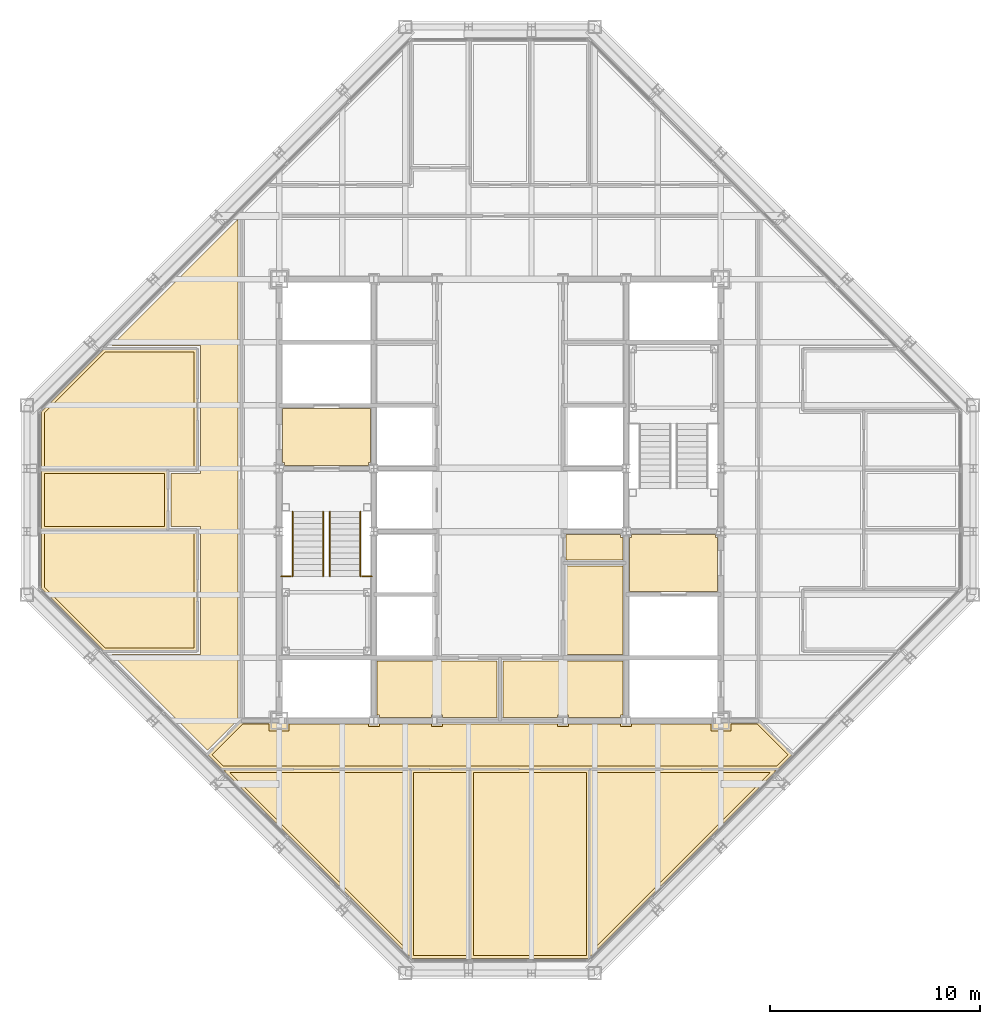
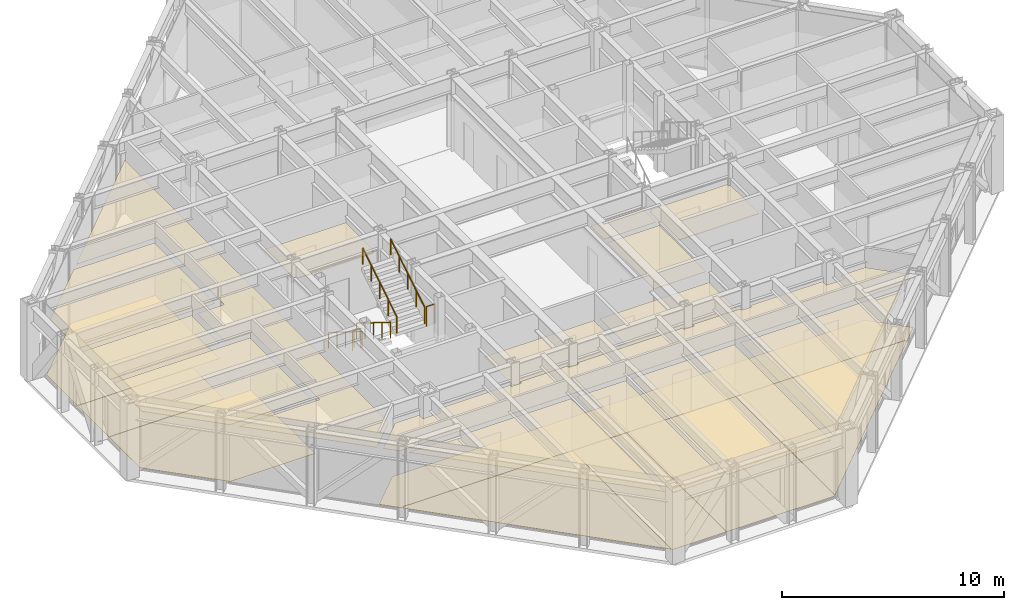
# One storey, part 14 of 15: 23 coverings, 6 railings.
"""IFC4 building model written with IfcOpenShell, lengths in metres."""

from ifc_helpers import new_model, si_unit, direction, frame, origin, origin_2d, place, context, subcontext, project, spatial, polyline, circle, outline, extrude, material, layer, layer_set, type_object, element, save


model = new_model("IFC4")

# Units and contexts
model_context = context("Model", 3, precision=1e-05, world=origin(), true_north=direction((0.0, 1.0)))
body_context = subcontext(model_context, "Body", "Model", "MODEL_VIEW")
ifc_project = project(units=[si_unit("LENGTHUNIT", "METRE"), si_unit("AREAUNIT", "SQUARE_METRE"), si_unit("VOLUMEUNIT", "CUBIC_METRE"), si_unit("PLANEANGLEUNIT", "RADIAN"), si_unit("MASSUNIT", "GRAM", prefix="KILO")], contexts=[model_context])

# Site, building, storey
site_placement = place(None, origin())
site = spatial("IfcSite", under=ifc_project, at=site_placement, CompositionType="ELEMENT")
building_placement = place(site_placement, origin())
building = spatial("IfcBuilding", under=site, at=building_placement, Name="Chuquiago Exchange Tower", CompositionType="ELEMENT")
storey_placement = place(building_placement, frame((0.0, 0.0, 291.60009765625)))
storey = spatial("IfcBuildingStorey", under=building, at=storey_placement, Name="L65", CompositionType="ELEMENT", Elevation=291.60009765625)

# Coverings
ifc_material_1 = material(Name="Mineral fibre tile, 600 x 600, on pale metal grid", Category="mineral fibre")
ifc_layer_1 = layer(ifc_material_1, 0.02001953125)
ifc_layer_set_1 = layer_set([ifc_layer_1], Name="CL1 suspended tile ceiling 20")
covering_type_1 = type_object("IfcCoveringType", Name="CL1 suspended tile ceiling 20", PredefinedType="CEILING", material=ifc_layer_set_1)
covering_1_placement = place(storey_placement, frame((0.0, 0.0, 3.0)))
element("IfcCovering", 1, at=covering_1_placement, inside=storey, type_object=covering_type_1, Name="Ceiling Broker lounge", PredefinedType="CEILING", context=body_context, shape_type="SweptSolid", body=[
    extrude(outline(polyline([(18.098388671875, 9.550048828125), (18.098388671875, 1.103515625), (9.652099609375, 9.550048828125), (18.098388671875, 9.550048828125)])), origin(), (0.0, 0.0, 1.0), 0.02001953125),
])
covering_2_placement = place(storey_placement, frame((0.0, 0.0, 3.0)))
element("IfcCovering", 2, at=covering_2_placement, inside=storey, type_object=covering_type_1, Name="Ceiling Executive office", PredefinedType="CEILING", context=body_context, shape_type="SweptSolid", body=[
    extrude(outline(polyline([(18.3984375, 9.550048828125), (20.932861328125, 9.550048828125), (20.932861328125, 0.85009765625), (18.3984375, 0.85009765625), (18.3984375, 9.550048828125)])), origin(), (0.0, 0.0, 1.0), 0.02001953125),
])
covering_3_placement = place(storey_placement, frame((0.0, 0.0, 3.0)))
element("IfcCovering", 3, at=covering_3_placement, inside=storey, type_object=covering_type_1, Name="Ceiling Executive office", PredefinedType="CEILING", context=body_context, shape_type="SweptSolid", body=[
    extrude(outline(polyline([(21.23291015625, 0.85009765625), (21.23291015625, 9.550048828125), (26.6015625, 9.550048828125), (26.6015625, 0.85009765625), (21.23291015625, 0.85009765625)])), origin(), (0.0, 0.0, 1.0), 0.02001953125),
])
covering_4_placement = place(storey_placement, frame((0.0, 0.0, 3.0)))
element("IfcCovering", 4, at=covering_4_placement, inside=storey, type_object=covering_type_1, Name="Ceiling Dining room", PredefinedType="CEILING", context=body_context, shape_type="SweptSolid", body=[
    extrude(outline(polyline([(26.901611328125, 9.550048828125), (35.347900390625, 9.550048828125), (26.901611328125, 1.103515625), (26.901611328125, 9.550048828125)])), origin(), (0.0, 0.0, 1.0), 0.02001953125),
])
covering_5_placement = place(storey_placement, frame((0.0, 0.0, 3.0)))
element("IfcCovering", 5, at=covering_5_placement, inside=storey, type_object=covering_type_1, Name="Ceiling Office", PredefinedType="CEILING", context=body_context, shape_type="SweptSolid", body=[
    extrude(outline(polyline([(7.949951171875, 20.932861328125), (7.949951171875, 15.45703125), (3.744873046875, 15.45703125), (0.85009765625, 18.35205078125), (0.85009765625, 20.932861328125), (7.949951171875, 20.932861328125)])), origin(), (0.0, 0.0, 1.0), 0.02001953125),
])
covering_6_placement = place(storey_placement, frame((0.0, 0.0, 3.0)))
element("IfcCovering", 6, at=covering_6_placement, inside=storey, type_object=covering_type_1, Name="Ceiling Wellness room", PredefinedType="CEILING", context=body_context, shape_type="SweptSolid", body=[
    extrude(outline(polyline([(6.550048828125, 23.76708984375), (6.550048828125, 21.23291015625), (0.85009765625, 21.23291015625), (0.85009765625, 23.76708984375), (6.550048828125, 23.76708984375)])), origin(), (0.0, 0.0, 1.0), 0.02001953125),
])
covering_7_placement = place(storey_placement, frame((0.0, 0.0, 3.0)))
element("IfcCovering", 7, at=covering_7_placement, inside=storey, type_object=covering_type_1, Name="Ceiling Executive office", PredefinedType="CEILING", context=body_context, shape_type="SweptSolid", body=[
    extrude(outline(polyline([(3.744873046875, 29.54296875), (7.949951171875, 29.54296875), (7.949951171875, 24.067138671875), (0.85009765625, 24.067138671875), (0.85009765625, 26.64794921875), (3.744873046875, 29.54296875)])), origin(), (0.0, 0.0, 1.0), 0.02001953125),
])
covering_8_placement = place(storey_placement, frame((0.0, 0.0, 3.0)))
element("IfcCovering", 8, at=covering_8_placement, inside=storey, type_object=covering_type_1, Name="Ceiling Executive reception east", PredefinedType="CEILING", context=body_context, shape_type="SweptSolid", body=[
    extrude(outline(polyline([(10.050048828125, 35.847900390625), (10.050048828125, 12.0625), (8.594482421875, 10.607421875), (4.044921875, 15.156982421875), (8.25, 15.156982421875), (8.25, 21.23291015625), (6.85009765625, 21.23291015625), (6.85009765625, 23.76708984375), (8.25, 23.76708984375), (8.25, 29.843017578125), (4.044921875, 29.843017578125), (10.050048828125, 35.847900390625)])), origin(), (0.0, 0.0, 1.0), 0.02001953125),
])
covering_9_placement = place(storey_placement, frame((0.0, 0.0, 3.0)))
element("IfcCovering", 9, at=covering_9_placement, inside=storey, type_object=covering_type_1, Name="Ceiling Executive reception south", PredefinedType="CEILING", context=body_context, shape_type="SweptSolid", body=[
    extrude(outline(polyline([(8.807373046875, 10.39453125), (10.2626953125, 11.85009765625), (11.52490234375, 11.85009765625), (11.52490234375, 11.52490234375), (12.47509765625, 11.52490234375), (12.47509765625, 11.85009765625), (16.24169921875, 11.85009765625), (16.24169921875, 11.727783203125), (16.75830078125, 11.727783203125), (16.75830078125, 11.85009765625), (19.24169921875, 11.85009765625), (19.24169921875, 11.727783203125), (19.75830078125, 11.727783203125), (19.75830078125, 11.85009765625), (25.24169921875, 11.85009765625), (25.24169921875, 11.727783203125), (25.75830078125, 11.727783203125), (25.75830078125, 11.85009765625), (28.24169921875, 11.85009765625), (28.24169921875, 11.727783203125), (28.75830078125, 11.727783203125), (28.75830078125, 11.85009765625), (32.52490234375, 11.85009765625), (32.52490234375, 11.52490234375), (33.47509765625, 11.52490234375), (33.47509765625, 11.85009765625), (34.7373046875, 11.85009765625), (36.192626953125, 10.39453125), (35.64794921875, 9.85009765625), (9.35205078125, 9.85009765625), (8.807373046875, 10.39453125)])), origin(), (0.0, 0.0, 1.0), 0.02001953125),
])
covering_10_placement = place(storey_placement, frame((0.0, 0.0, 3.0)))
element("IfcCovering", 10, at=covering_10_placement, inside=storey, type_object=covering_type_1, Name="Ceiling Catering store", PredefinedType="CEILING", context=body_context, shape_type="SweptSolid", body=[
    extrude(outline(polyline([(25.64990234375, 15.14990234375), (25.64990234375, 19.35009765625), (28.35009765625, 19.35009765625), (28.35009765625, 15.14990234375), (25.64990234375, 15.14990234375)])), origin(), (0.0, 0.0, 1.0), 0.02001953125),
])
covering_11_placement = place(storey_placement, frame((0.0, 0.0, 3.0)))
element("IfcCovering", 11, at=covering_11_placement, inside=storey, type_object=covering_type_1, Name="Ceiling Club servery", PredefinedType="CEILING", context=body_context, shape_type="SweptSolid", body=[
    extrude(outline(polyline([(25.64990234375, 19.64990234375), (25.64990234375, 20.85009765625), (28.24169921875, 20.85009765625), (28.24169921875, 20.727783203125), (28.35009765625, 20.727783203125), (28.35009765625, 19.64990234375), (25.64990234375, 19.64990234375)])), origin(), (0.0, 0.0, 1.0), 0.02001953125),
])
ifc_material_2 = material(Name="Moisture resistant plasterboard on metal frame", Category="gypsum")
ifc_layer_2 = layer(ifc_material_2, 0.014892578125)
ifc_layer_set_2 = layer_set([ifc_layer_2], Name="CL2 moisture resistant ceiling 15")
covering_type_2 = type_object("IfcCoveringType", Name="CL2 moisture resistant ceiling 15", PredefinedType="CEILING", material=ifc_layer_set_2)
covering_12_placement = place(storey_placement, frame((0.0, 0.0, 2.599853515625)))
element("IfcCovering", 12, at=covering_12_placement, inside=storey, type_object=covering_type_2, Name="Ceiling Accessible WC", PredefinedType="CEILING", context=body_context, shape_type="SweptSolid", body=[
    extrude(outline(polyline([(25.75830078125, 12.14990234375), (25.75830078125, 12.272216796875), (25.24169921875, 12.272216796875), (25.24169921875, 12.14990234375), (22.64990234375, 12.14990234375), (22.64990234375, 14.85009765625), (28.35009765625, 14.85009765625), (28.35009765625, 12.272216796875), (28.24169921875, 12.272216796875), (28.24169921875, 12.14990234375), (25.75830078125, 12.14990234375)])), origin(), (0.0, 0.0, 1.0), 0.01513671875),
])
covering_13_placement = place(storey_placement, frame((0.0, 0.0, 2.599853515625)))
element("IfcCovering", 13, at=covering_13_placement, inside=storey, type_object=covering_type_2, Name="Ceiling Cleaner", PredefinedType="CEILING", context=body_context, shape_type="SweptSolid", body=[
    extrude(outline(polyline([(19.75830078125, 12.14990234375), (19.75830078125, 12.272216796875), (19.24169921875, 12.272216796875), (19.24169921875, 12.14990234375), (16.75830078125, 12.14990234375), (16.75830078125, 12.272216796875), (16.64990234375, 12.272216796875), (16.64990234375, 14.85009765625), (22.35009765625, 14.85009765625), (22.35009765625, 12.14990234375), (19.75830078125, 12.14990234375)])), origin(), (0.0, 0.0, 1.0), 0.01513671875),
])
ifc_material_3 = material(Name="Pale metal plank ceiling, perforated", Category="aluminium")
ifc_layer_3 = layer(ifc_material_3, 0.030029296875)
ifc_layer_set_3 = layer_set([ifc_layer_3], Name="CL3 metal plank ceiling 30")
covering_type_3 = type_object("IfcCoveringType", Name="CL3 metal plank ceiling 30", PredefinedType="CEILING", material=ifc_layer_set_3)
covering_14_placement = place(storey_placement, frame((0.0, 0.0, 2.7998046875)))
element("IfcCovering", 14, at=covering_14_placement, inside=storey, type_object=covering_type_3, Name="Ceiling Firefighting lobby", PredefinedType="CEILING", context=body_context, shape_type="SweptSolid", body=[
    extrude(outline(polyline([(12.25830078125, 24.14990234375), (12.25830078125, 24.272216796875), (12.14990234375, 24.272216796875), (12.14990234375, 26.85009765625), (16.35009765625, 26.85009765625), (16.35009765625, 24.272216796875), (16.24169921875, 24.272216796875), (16.24169921875, 24.14990234375), (12.25830078125, 24.14990234375)])), origin(), (0.0, 0.0, 1.0), 0.030029296875),
])
covering_15_placement = place(storey_placement, frame((0.0, 0.0, 2.7998046875)))
element("IfcCovering", 15, at=covering_15_placement, inside=storey, type_object=covering_type_3, Name="Ceiling Firefighting lobby", PredefinedType="CEILING", context=body_context, shape_type="SweptSolid", body=[
    extrude(outline(polyline([(28.64990234375, 18.14990234375), (28.64990234375, 20.727783203125), (28.75830078125, 20.727783203125), (28.75830078125, 20.85009765625), (32.74169921875, 20.85009765625), (32.74169921875, 20.727783203125), (32.85009765625, 20.727783203125), (32.85009765625, 18.14990234375), (28.64990234375, 18.14990234375)])), origin(), (0.0, 0.0, 1.0), 0.030029296875),
])
ifc_material_4 = material(Name="Carpet tile, 500 x 500, on the floor slab", Category="textile")
ifc_layer_4 = layer(ifc_material_4, 0.010009765625)
ifc_layer_set_4 = layer_set([ifc_layer_4], Name="FL1 carpet tile 10")
covering_type_4 = type_object("IfcCoveringType", Name="FL1 carpet tile 10", PredefinedType="FLOORING", material=ifc_layer_set_4)
covering_16_placement = place(storey_placement, origin())
element("IfcCovering", 16, at=covering_16_placement, inside=storey, type_object=covering_type_4, Name="Floor finish Executive office", PredefinedType="FLOORING", context=body_context, shape_type="SweptSolid", body=[
    extrude(outline(polyline([(18.289794921875, 0.699951171875), (18.24853515625, 0.741455078125), (18.24853515625, 9.699951171875), (21.082763671875, 9.699951171875), (21.082763671875, 0.699951171875), (18.289794921875, 0.699951171875)])), origin(), (0.0, 0.0, 1.0), 0.010009765625),
])
covering_17_placement = place(storey_placement, origin())
element("IfcCovering", 17, at=covering_17_placement, inside=storey, type_object=covering_type_4, Name="Floor finish Executive office", PredefinedType="FLOORING", context=body_context, shape_type="SweptSolid", body=[
    extrude(outline(polyline([(26.710205078125, 0.699951171875), (21.082763671875, 0.699951171875), (21.082763671875, 9.699951171875), (26.75146484375, 9.699951171875), (26.75146484375, 0.741455078125), (26.710205078125, 0.699951171875)])), origin(), (0.0, 0.0, 1.0), 0.010009765625),
])
covering_18_placement = place(storey_placement, origin())
element("IfcCovering", 18, at=covering_18_placement, inside=storey, type_object=covering_type_4, Name="Floor finish Office", PredefinedType="FLOORING", context=body_context, shape_type="SweptSolid", body=[
    extrude(outline(polyline([(0.699951171875, 21.082763671875), (8.10009765625, 21.082763671875), (8.10009765625, 15.30712890625), (3.682861328125, 15.30712890625), (0.699951171875, 18.289794921875), (0.699951171875, 21.082763671875)])), origin(), (0.0, 0.0, 1.0), 0.010009765625),
])
covering_19_placement = place(storey_placement, origin())
element("IfcCovering", 19, at=covering_19_placement, inside=storey, type_object=covering_type_4, Name="Floor finish Wellness room", PredefinedType="FLOORING", context=body_context, shape_type="SweptSolid", body=[
    extrude(outline(polyline([(0.699951171875, 23.917236328125), (6.699951171875, 23.917236328125), (6.699951171875, 21.082763671875), (0.699951171875, 21.082763671875), (0.699951171875, 23.917236328125)])), origin(), (0.0, 0.0, 1.0), 0.010009765625),
])
covering_20_placement = place(storey_placement, origin())
element("IfcCovering", 20, at=covering_20_placement, inside=storey, type_object=covering_type_4, Name="Floor finish Executive office", PredefinedType="FLOORING", context=body_context, shape_type="SweptSolid", body=[
    extrude(outline(polyline([(0.699951171875, 26.710205078125), (3.682861328125, 29.69287109375), (8.10009765625, 29.69287109375), (8.10009765625, 23.917236328125), (0.699951171875, 23.917236328125), (0.699951171875, 26.710205078125)])), origin(), (0.0, 0.0, 1.0), 0.010009765625),
])
ifc_material_5 = material(Name="Porcelain floor tile, 600 x 600, on adhesive bed", Category="ceramic")
ifc_layer_5 = layer(ifc_material_5, 0.014892578125)
ifc_layer_set_5 = layer_set([ifc_layer_5], Name="FL2 porcelain tile 15")
covering_type_5 = type_object("IfcCoveringType", Name="FL2 porcelain tile 15", PredefinedType="FLOORING", material=ifc_layer_set_5)
covering_21_placement = place(storey_placement, origin())
element("IfcCovering", 21, at=covering_21_placement, inside=storey, type_object=covering_type_5, Name="Floor finish Broker lounge", PredefinedType="FLOORING", context=body_context, shape_type="SweptSolid", body=[
    extrude(outline(polyline([(9.42431640625, 9.565673828125), (9.42431640625, 9.699951171875), (18.24853515625, 9.699951171875), (18.24853515625, 0.741455078125), (9.42431640625, 9.565673828125)])), origin(), (0.0, 0.0, 1.0), 0.014892578125),
])
covering_22_placement = place(storey_placement, origin())
element("IfcCovering", 22, at=covering_22_placement, inside=storey, type_object=covering_type_5, Name="Floor finish Dining room", PredefinedType="FLOORING", context=body_context, shape_type="SweptSolid", body=[
    extrude(outline(polyline([(26.75146484375, 0.741455078125), (26.75146484375, 9.699951171875), (35.57568359375, 9.699951171875), (35.57568359375, 9.565673828125), (26.75146484375, 0.741455078125)])), origin(), (0.0, 0.0, 1.0), 0.014892578125),
])
covering_23_placement = place(storey_placement, origin())
element("IfcCovering", 23, at=covering_23_placement, inside=storey, type_object=covering_type_5, Name="Floor finish Executive reception south", PredefinedType="FLOORING", context=body_context, shape_type="SweptSolid", body=[
    extrude(outline(polyline([(35.57568359375, 9.565673828125), (35.57568359375, 9.699951171875), (9.42431640625, 9.699951171875), (9.42431640625, 9.565673828125), (8.59521484375, 10.39453125), (10.200439453125, 12.0), (34.799560546875, 12.0), (36.40478515625, 10.39453125), (35.57568359375, 9.565673828125)])), origin(), (0.0, 0.0, 1.0), 0.014892578125),
])

# Railings
ifc_material_6 = material(Name="Pale metal guard with safety glass infill", Category="glass")
railing_type_1 = type_object("IfcRailingType", Name="GR1 guard 1100", PredefinedType="GUARDRAIL", material=ifc_material_6)
for number, where, name in (
    (24, (12.10009765625, 18.8701171875, 2.099853515625), "Guard ST1 L65 landing 2"),
    (25, (15.945068359375, 18.8701171875, 2.099853515625), "Guard ST1 L65 landing 2"),
):
    element("IfcRailing", number, at=place(storey_placement, frame(where)), inside=storey, type_object=railing_type_1, Name=name, PredefinedType="GUARDRAIL", context=body_context, shape_type="SweptSolid", body=[
        extrude(circle(Radius=0.02392578125, at=origin_2d()), frame((0.0, 0.0, 1.076171875), z_axis=(1.0, 0.0, 0.0), x_axis=(0.0, 1.0, 0.0)), (0.0, 0.0, 1.0), 0.454833984375),
        extrude(circle(Radius=0.02099609375, at=origin_2d()), origin(), (0.0, 0.0, 1.0), 1.052001953125),
        extrude(circle(Radius=0.02099609375, at=origin_2d()), frame((0.454833984375, 0.0, 0.0)), (0.0, 0.0, 1.0), 1.052001953125),
    ])
ifc_material_7 = material(Name="Pale metal handrail", Category="steel")
railing_type_2 = type_object("IfcRailingType", Name="HR1 handrail 900", PredefinedType="HANDRAIL", material=ifc_material_7)
for number, where, name in (
    (26, (12.635009765625, 21.949951171875, 0.1748046875), "Handrail ST1 L65 flight 1"),
    (27, (14.0849609375, 21.949951171875, 0.1748046875), "Handrail ST1 L65 flight 1"),
):
    element("IfcRailing", number, at=place(storey_placement, frame(where)), inside=storey, type_object=railing_type_2, Name=name, PredefinedType="HANDRAIL", context=body_context, shape_type="SweptSolid", body=[
        extrude(circle(Radius=0.02392578125, at=origin_2d()), frame((0.0, 0.0, 0.8759765625), z_axis=(0.0, -0.847979421464, 0.530029150871), x_axis=(1.0, 0.0, 0.0)), (0.0, 0.0, 1.0), 3.632080078125),
        extrude(circle(Radius=0.02099609375, at=origin_2d()), origin(), (0.0, 0.0, 1.0), 0.851806640625),
        extrude(circle(Radius=0.02099609375, at=origin_2d()), frame((0.0, -0.77001953125, 0.481201171875)), (0.0, 0.0, 1.0), 0.851806640625),
        extrude(circle(Radius=0.02099609375, at=origin_2d()), frame((0.0, -1.5400390625, 0.96240234375)), (0.0, 0.0, 1.0), 0.851806640625),
        extrude(circle(Radius=0.02099609375, at=origin_2d()), frame((0.0, -2.309814453125, 1.44384765625)), (0.0, 0.0, 1.0), 0.851806640625),
        extrude(circle(Radius=0.02099609375, at=origin_2d()), frame((0.0, -3.079833984375, 1.925048828125)), (0.0, 0.0, 1.0), 0.851806640625),
    ])
for number, where, name in (
    (28, (15.864990234375, 18.8701171875, 2.27490234375), "Handrail ST1 L65 flight 2"),
    (29, (14.4150390625, 18.8701171875, 2.27490234375), "Handrail ST1 L65 flight 2"),
):
    element("IfcRailing", number, at=place(storey_placement, frame(where)), inside=storey, type_object=railing_type_2, Name=name, PredefinedType="HANDRAIL", context=body_context, shape_type="SweptSolid", body=[
        extrude(circle(Radius=0.02392578125, at=origin_2d()), frame((0.0, 0.0, 0.8759765625), z_axis=(0.0, 0.847979421464, 0.530029150871), x_axis=(-1.0, 0.0, 0.0)), (0.0, 0.0, 1.0), 3.632080078125),
        extrude(circle(Radius=0.02099609375, at=origin_2d()), origin(), (0.0, 0.0, 1.0), 0.851806640625),
        extrude(circle(Radius=0.02099609375, at=origin_2d()), frame((0.0, 0.77001953125, 0.481201171875)), (0.0, 0.0, 1.0), 0.851806640625),
        extrude(circle(Radius=0.02099609375, at=origin_2d()), frame((0.0, 1.5400390625, 0.96240234375)), (0.0, 0.0, 1.0), 0.851806640625),
        extrude(circle(Radius=0.02099609375, at=origin_2d()), frame((0.0, 2.309814453125, 1.44384765625)), (0.0, 0.0, 1.0), 0.851806640625),
        extrude(circle(Radius=0.02099609375, at=origin_2d()), frame((0.0, 3.079833984375, 1.925048828125)), (0.0, 0.0, 1.0), 0.851806640625),
    ])

save(model, "model.ifc")
